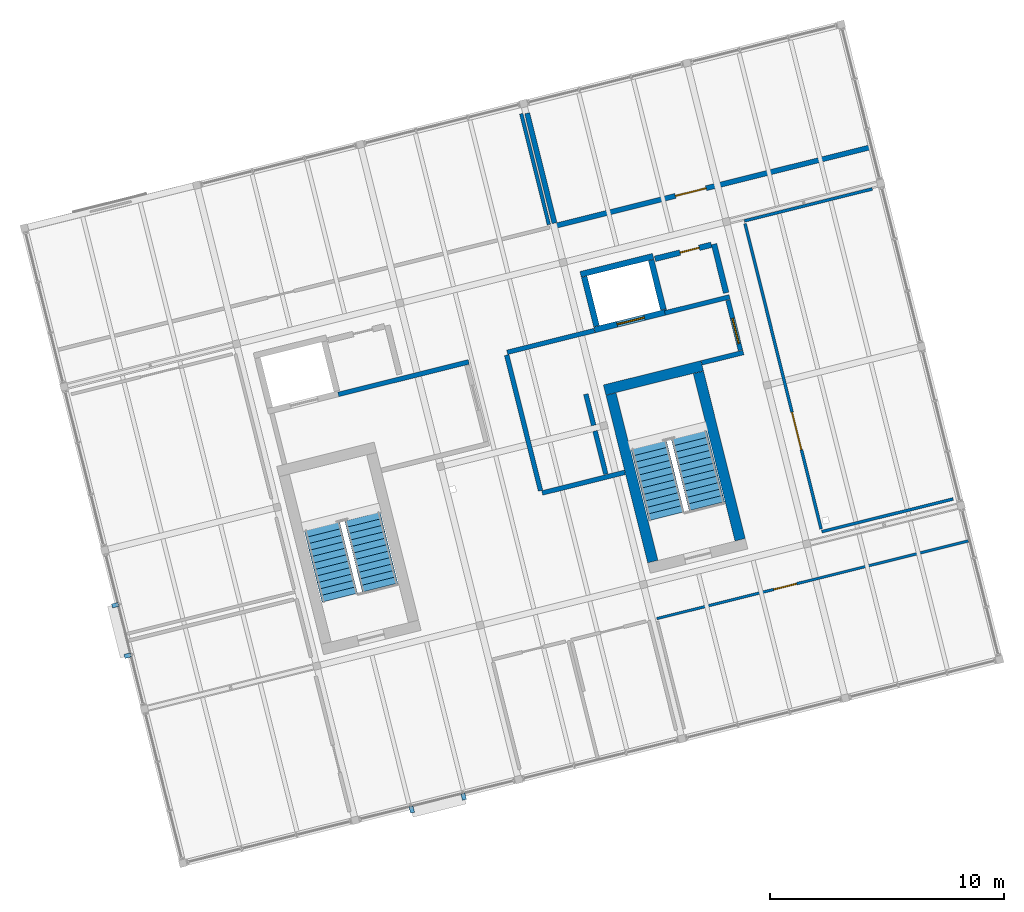
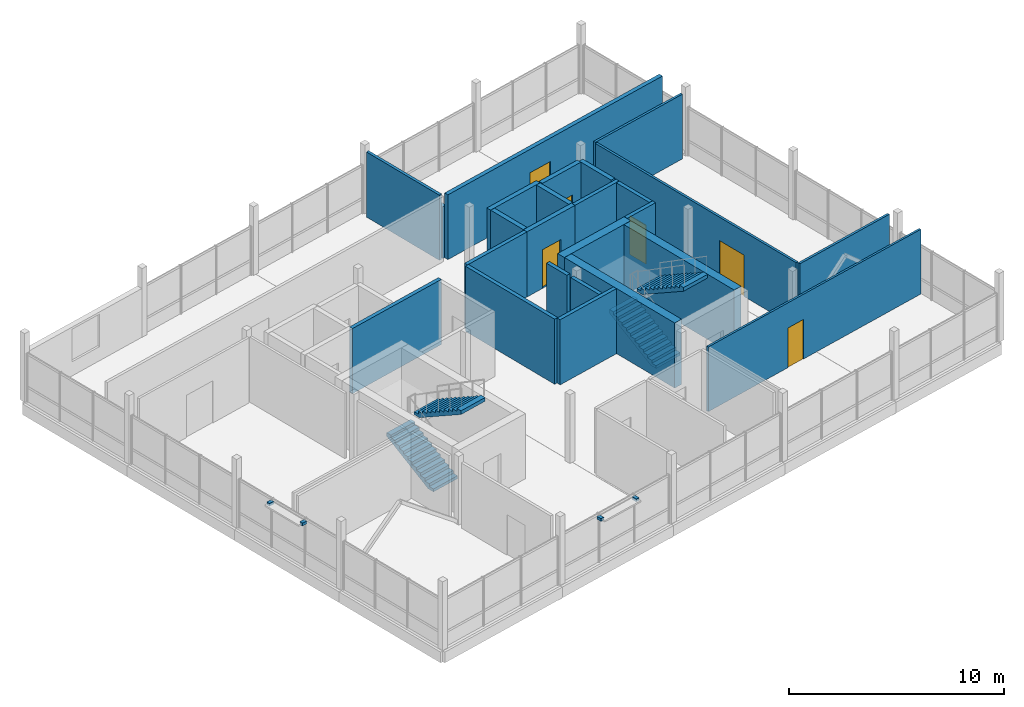
# One storey, part 24 of 25: 25 walls, 6 doors, 4 discrete accessories, 4 stair flights, 6 openings, 2 elements without a shape of their own.
"""IFC4 building model written with IfcOpenShell, lengths in metres."""

from ifc_helpers import new_model, si_unit, direction, frame, frame_2d, origin, origin_2d, place, context, subcontext, project, spatial, polyline, rectangle, outline, extrude, material, layer, layer_set, type_object, element, fill, aggregate, save


model = new_model("IFC4")

# Units and contexts
model_context = context("Model", 3, precision=1e-05, world=origin(), true_north=direction((0.0, 1.0)))
body_context = subcontext(model_context, "Body", "Model", "MODEL_VIEW")
ifc_project = project(units=[si_unit("LENGTHUNIT", "METRE"), si_unit("AREAUNIT", "SQUARE_METRE"), si_unit("VOLUMEUNIT", "CUBIC_METRE"), si_unit("PLANEANGLEUNIT", "RADIAN"), si_unit("MASSUNIT", "GRAM", prefix="KILO")], contexts=[model_context])

# Site, building, storey
site_placement = place(None, origin())
site = spatial("IfcSite", under=ifc_project, at=site_placement, CompositionType="ELEMENT")
building_placement = place(site_placement, origin())
building = spatial("IfcBuilding", under=site, at=building_placement, Name="Meriwether Solvik Hall", CompositionType="ELEMENT")
storey_placement = place(building_placement, frame((0.0, 0.0, 53.39990234375)))
storey = spatial("IfcBuildingStorey", under=building, at=storey_placement, Name="L13", CompositionType="ELEMENT", Elevation=53.39990234375)

# Wall, opening, door
ifc_material_1 = material(Name="Acoustic Mineral-Wool Double Gypsum Board", Category="gypsum")
ifc_layer_1 = layer(ifc_material_1, 0.219970703125)
ifc_layer_set_1 = layer_set([ifc_layer_1], Name="Acoustic Mineral-Wool Double Gypsum Board")
wall_type_1 = type_object("IfcWallType", Name="WALL-ACST-220", PredefinedType="PARTITIONING", material=ifc_layer_set_1)
wall_1_placement = place(storey_placement, frame((84.527587890625, 68.463134765625, 0.0), z_axis=(0.0, 0.0, 1.0), x_axis=(0.970298423506, 0.241911077346, 0.0)))
wall_1 = element("IfcWall", 1, at=wall_1_placement, inside=storey, type_object=wall_type_1, Name="L13 Interior Partition fel_13n2_s", PredefinedType="PARTITIONING", context=body_context, shape_type="SweptSolid", body=[
    extrude(rectangle(XDim=13.889892578125, YDim=0.219970703125, at=frame_2d((6.94482421875, 0.0))), origin(), (0.0, 0.0, 1.0), 3.68017578125),
])
opening_1_placement = place(wall_1_placement, frame((5.298583984375, 0.0, 0.0)))
opening_1 = element("IfcOpeningElement", 2, at=opening_1_placement, cuts=wall_1, Name="Opening D-190", PredefinedType="OPENING", context=body_context, shape_type="SweptSolid", body=[
    extrude(rectangle(XDim=1.35009765625, YDim=2.35009765625, at=frame_2d((0.675048828125, 1.175048828125))), frame((0.0, 0.1220703125, 0.0), z_axis=(0.0, -1.0, 0.0), x_axis=(1.0, 0.0, 0.0)), (0.0, 0.0, 1.0), 0.243896484375),
])
ifc_material_2 = material(Name="Laminated Vision Glass and Solid White Oak Timber", Category="wood")
door_type_1 = type_object("IfcDoorType", Name="DR-LAB-1350L", OperationType="SINGLE_SWING_LEFT", PredefinedType="DOOR", material=ifc_material_2)
door_1_placement = place(opening_1_placement, origin())
door_1 = element("IfcDoor", 3, at=door_1_placement, inside=storey, type_object=door_type_1, Name="L13 Oral History Recording Lab Door", OperationType="SINGLE_SWING_LEFT", OverallHeight=2.35009765625, OverallWidth=1.35009765625, PredefinedType="DOOR", context=body_context, shape_type="SweptSolid", body=[
    extrude(rectangle(XDim=1.35009765625, YDim=2.35009765625, at=frame_2d((0.675048828125, 1.175048828125))), frame((0.0, 0.02490234375, 0.0), z_axis=(0.0, -1.0, 0.0), x_axis=(1.0, 0.0, 0.0)), (0.0, 0.0, 1.0), 0.050048828125),
])
fill(opening_1, door_1)

# Walls
wall_2_placement = place(storey_placement, frame((83.32666015625, 73.27978515625, 0.0), z_axis=(0.0, 0.0, 1.0), x_axis=(0.24191891997, -0.970296468179, 0.0)))
element("IfcWall", 4, at=wall_2_placement, inside=storey, type_object=wall_type_1, Name="L13 Interior Partition fel_13n2_w", PredefinedType="PARTITIONING", context=body_context, shape_type="SweptSolid", body=[
    extrude(rectangle(XDim=4.843994140625, YDim=0.219970703125, at=frame_2d((2.421875, 0.0))), origin(), (0.0, 0.0, 1.0), 2.940185546875),
])
ifc_material_3 = material(Name="Fire-Rated Type X Gypsum Board", Category="gypsum")
ifc_layer_2 = layer(ifc_material_3, 0.199951171875)
ifc_layer_set_2 = layer_set([ifc_layer_2], Name="Fire-Rated Type X Gypsum Board")
wall_type_2 = type_object("IfcWallType", Name="WALL-FIRE-200", PredefinedType="STANDARD", material=ifc_layer_set_2)
wall_3_placement = place(storey_placement, frame((75.24609375, 61.25341796875, 0.0), z_axis=(0.0, 0.0, 1.0), x_axis=(0.970292173201, 0.24193614576, 0.0)))
element("IfcWall", 5, at=wall_3_placement, inside=storey, type_object=wall_type_2, Name="L13 Interior Partition lb1_n_cap", PredefinedType="STANDARD", context=body_context, shape_type="SweptSolid", body=[
    extrude(rectangle(XDim=5.75, YDim=0.199951171875, at=frame_2d((2.875, 0.0))), origin(), (0.0, 0.0, 1.0), 3.7001953125),
])
wall_4_placement = place(storey_placement, frame((82.452880859375, 62.93701171875, 0.0), z_axis=(0.0, 0.0, 1.0), x_axis=(0.241891967324, -0.970303187743, 0.0)))
element("IfcWall", 6, at=wall_4_placement, inside=storey, type_object=wall_type_2, Name="L13 Interior Partition lb2_w", PredefinedType="STANDARD", context=body_context, shape_type="SweptSolid", body=[
    extrude(rectangle(XDim=5.97998046875, YDim=0.199951171875, at=frame_2d((2.989990234375, 0.0))), origin(), (0.0, 0.0, 1.0), 3.7001953125),
])
wall_5_placement = place(storey_placement, frame((83.972412109375, 57.03955078125, 0.0), z_axis=(0.0, 0.0, 1.0), x_axis=(0.97030000841, 0.241904720251, 0.0)))
element("IfcWall", 7, at=wall_5_placement, inside=storey, type_object=wall_type_2, Name="L13 Interior Partition lb2_s_w", PredefinedType="STANDARD", context=body_context, shape_type="SweptSolid", body=[
    extrude(rectangle(XDim=3.642333984375, YDim=0.199951171875, at=frame_2d((1.8212890625, 0.0))), origin(), (0.0, 0.0, 1.0), 3.7001953125),
])
wall_6_placement = place(storey_placement, frame((86.691650390625, 57.841064453125, 0.0), z_axis=(0.0, 0.0, 1.0), x_axis=(-0.241992731984, 0.970278062035, 0.0)))
element("IfcWall", 8, at=wall_6_placement, inside=storey, type_object=wall_type_2, Name="L13 Interior Partition lb2_e_low", PredefinedType="STANDARD", context=body_context, shape_type="SweptSolid", body=[
    extrude(rectangle(XDim=1.90478515625, YDim=0.199951171875, at=frame_2d((0.952392578125, 0.0))), origin(), (0.0, 0.0, 1.0), 3.7001953125),
])
wall_7_placement = place(storey_placement, frame((86.169921875, 59.932861328125, 0.0), z_axis=(0.0, 0.0, 1.0), x_axis=(-0.241824833036, 0.970319921535, 0.0)))
element("IfcWall", 9, at=wall_7_placement, inside=storey, type_object=wall_type_2, Name="L13 Interior Partition lb2_e_low_s2", PredefinedType="STANDARD", context=body_context, shape_type="SweptSolid", body=[
    extrude(rectangle(XDim=1.3740234375, YDim=0.199951171875, at=frame_2d((0.68701171875, 0.0))), origin(), (0.0, 0.0, 1.0), 3.7001953125),
])
wall_8_placement = place(storey_placement, frame((82.47265625, 63.05517578125, 0.0), z_axis=(0.0, 0.0, 1.0), x_axis=(0.970284368558, 0.241967444366, 0.0)))
element("IfcWall", 10, at=wall_8_placement, inside=storey, type_object=wall_type_2, Name="L13 Interior Partition lb2_n_cap_w", PredefinedType="STANDARD", context=body_context, shape_type="SweptSolid", body=[
    extrude(rectangle(XDim=3.84228515625, YDim=0.199951171875, at=frame_2d((1.921142578125, 0.0))), origin(), (0.0, 0.0, 1.0), 3.7001953125),
])
wall_9_placement = place(storey_placement, frame((90.791015625, 62.604248046875, 0.0), z_axis=(0.0, 0.0, 1.0), x_axis=(0.970306180373, 0.241879962645, 0.0)))
element("IfcWall", 11, at=wall_9_placement, inside=storey, type_object=wall_type_2, Name="L13 Interior Partition lb2_s", PredefinedType="STANDARD", context=body_context, shape_type="SweptSolid", body=[
    extrude(rectangle(XDim=1.840087890625, YDim=0.199951171875, at=frame_2d((0.919921875, 0.0))), origin(), (0.0, 0.0, 1.0), 3.7001953125),
])
wall_10_placement = place(storey_placement, frame((89.21826171875, 64.737060546875, 0.0), z_axis=(0.0, 0.0, 1.0), x_axis=(0.97027839681, 0.241991389687, 0.0)))
element("IfcWall", 12, at=wall_10_placement, inside=storey, type_object=wall_type_2, Name="L13 Interior Partition lb2_n_cap", PredefinedType="STANDARD", context=body_context, shape_type="SweptSolid", body=[
    extrude(rectangle(XDim=2.85009765625, YDim=0.199951171875, at=frame_2d((1.425048828125, 0.0))), origin(), (0.0, 0.0, 1.0), 3.7001953125),
])

# Wall, opening, door
wall_11_placement = place(storey_placement, frame((91.91552734375, 65.2861328125, 0.0), z_axis=(0.0, 0.0, 1.0), x_axis=(0.241911789465, -0.970298245963, 0.0)))
wall_11 = element("IfcWall", 13, at=wall_11_placement, inside=storey, type_object=wall_type_2, Name="L13 Interior Partition lb2_e", PredefinedType="STANDARD", context=body_context, shape_type="SweptSolid", body=[
    extrude(rectangle(XDim=2.210205078125, YDim=0.199951171875, at=frame_2d((1.10498046875, 0.0))), origin(), (0.0, 0.0, 1.0), 3.7001953125),
])
opening_2_placement = place(wall_11_placement, frame((0.81005859375, 0.0, 0.0)))
opening_2 = element("IfcOpeningElement", 14, at=opening_2_placement, cuts=wall_11, Name="Opening D-168", PredefinedType="OPENING", context=body_context, shape_type="SweptSolid", body=[
    extrude(rectangle(XDim=1.10009765625, YDim=2.199951171875, at=frame_2d((0.550048828125, 1.10009765625))), frame((0.0, 0.11181640625, 0.0), z_axis=(0.0, -1.0, 0.0), x_axis=(1.0, 0.0, 0.0)), (0.0, 0.0, 1.0), 0.223876953125),
])
ifc_material_4 = material(Name="Steel A36 Galvanised", Category="steel")
door_type_2 = type_object("IfcDoorType", Name="DR-FD60-1100L", OperationType="SINGLE_SWING_LEFT", PredefinedType="DOOR", material=ifc_material_4)
door_2_placement = place(opening_2_placement, origin())
door_2 = element("IfcDoor", 15, at=door_2_placement, inside=storey, type_object=door_type_2, Name="East FSAE Lift Lobby Door (L13)", OperationType="SINGLE_SWING_LEFT", OverallHeight=2.199951171875, OverallWidth=1.10009765625, PredefinedType="DOOR", context=body_context, shape_type="SweptSolid", body=[
    extrude(rectangle(XDim=1.10009765625, YDim=2.199951171875, at=frame_2d((0.550048828125, 1.10009765625))), frame((0.0, 0.02490234375, 0.0), z_axis=(0.0, -1.0, 0.0), x_axis=(1.0, 0.0, 0.0)), (0.0, 0.0, 1.0), 0.050048828125),
])
fill(opening_2, door_2)

ifc_material_5 = material(Name="Tempered Laminated Glass in Anodised Aluminium Frame", Category="aluminium")
ifc_layer_3 = layer(ifc_material_5, 0.112060546875)
ifc_layer_set_3 = layer_set([ifc_layer_3], Name="Tempered Laminated Glass in Anodised Aluminium Frame")
wall_type_3 = type_object("IfcWallType", Name="WALL-GLZ-112", PredefinedType="PARTITIONING", material=ifc_layer_set_3)
wall_12_placement = place(storey_placement, frame((102.202392578125, 54.98876953125, 0.0), z_axis=(0.0, 0.0, 1.0), x_axis=(-0.970296992455, -0.241916817175, 0.0)))
wall_12 = element("IfcWall", 16, at=wall_12_placement, inside=storey, type_object=wall_type_3, Name="L13 Interior Partition fel_13s_n", PredefinedType="PARTITIONING", context=body_context, shape_type="SweptSolid", body=[
    extrude(rectangle(XDim=13.740234375, YDim=0.112060546875, at=frame_2d((6.8701171875, 0.0))), origin(), (0.0, 0.0, 1.0), 3.68017578125),
])
opening_3_placement = place(wall_12_placement, frame((7.577880859375, 0.0, 0.0)))
opening_3 = element("IfcOpeningElement", 17, at=opening_3_placement, cuts=wall_12, Name="Opening D-166", PredefinedType="OPENING", context=body_context, shape_type="SweptSolid", body=[
    extrude(rectangle(XDim=1.0, YDim=2.25, at=frame_2d((0.5, 1.125))), frame((0.0, 0.06787109375, 0.0), z_axis=(0.0, -1.0, 0.0), x_axis=(1.0, 0.0, 0.0)), (0.0, 0.0, 1.0), 0.135986328125),
])
ifc_material_6 = material(Name="Laminated Vision Glass and Solid White Oak Timber", Category="wood")
door_type_3 = type_object("IfcDoorType", Name="DR-OFF-1000L", OperationType="SINGLE_SWING_LEFT", PredefinedType="DOOR", material=ifc_material_6)
door_3_placement = place(opening_3_placement, origin())
door_3 = element("IfcDoor", 18, at=door_3_placement, inside=storey, type_object=door_type_3, Name="L13 Senior Fellows Office Door", OperationType="SINGLE_SWING_LEFT", OverallHeight=2.25, OverallWidth=1.0, PredefinedType="DOOR", context=body_context, shape_type="SweptSolid", body=[
    extrude(rectangle(XDim=1.0, YDim=2.25, at=frame_2d((0.5, 1.125))), frame((0.0, 0.02490234375, 0.0), z_axis=(0.0, -1.0, 0.0), x_axis=(1.0, 0.0, 0.0)), (0.0, 0.0, 1.0), 0.050048828125),
])
fill(opening_3, door_3)

# Walls
ifc_material_7 = material(Name="Concrete C40/50", Category="concrete")
ifc_layer_4 = layer(ifc_material_7, 0.25)
ifc_layer_set_4 = layer_set([ifc_layer_4], Name="Concrete C40/50")
wall_type_4 = type_object("IfcWallType", Name="WALL-HOIST-250", PredefinedType="SHEAR", material=ifc_layer_set_4)
wall_13_placement = place(storey_placement, frame((88.716552734375, 67.162841796875, 0.0), z_axis=(0.0, 0.0, 1.0), x_axis=(-0.970294894235, -0.241925232711, 0.0)))
element("IfcWall", 19, at=wall_13_placement, inside=storey, type_object=wall_type_4, Name="Hoistway BANK2 North Wall (L13)", PredefinedType="SHEAR", context=body_context, shape_type="SweptSolid", body=[
    extrude(rectangle(XDim=3.199951171875, YDim=0.25, at=frame_2d((1.60009765625, 0.0))), origin(), (0.0, 0.0, 1.0), 3.7001953125),
])
for number, where, z_axis, x_axis, name in (
    (20, (85.765625, 66.287841796875, 0.0), (0.0, 0.0, 1.0), (0.241903146974, -0.970300400641, 0.0), "Hoistway BANK2 West Wall (L13)"),
    (21, (89.1552734375, 64.886474609375, 0.0), (0.0, 0.0, 1.0), (-0.241903146974, 0.970300400641, 0.0), "Hoistway BANK2 East Wall (L13)"),
):
    element("IfcWall", number, at=place(storey_placement, frame(where, z_axis=z_axis, x_axis=x_axis)), inside=storey, type_object=wall_type_4, Name=name, PredefinedType="SHEAR", context=body_context, shape_type="SweptSolid", body=[
        extrude(rectangle(XDim=2.179931640625, YDim=0.25, at=frame_2d((1.08984375, 0.0))), origin(), (0.0, 0.0, 1.0), 3.7001953125),
    ])

# Wall, opening, door
wall_14_placement = place(storey_placement, frame((86.204345703125, 64.011474609375, 0.0), z_axis=(0.0, 0.0, 1.0), x_axis=(0.970294894235, 0.241925232711, 0.0)))
wall_14 = element("IfcWall", 22, at=wall_14_placement, inside=storey, type_object=wall_type_4, Name="Lift LF-02 Landing Wall (L13)", PredefinedType="SHEAR", context=body_context, shape_type="SweptSolid", body=[
    extrude(rectangle(XDim=3.199951171875, YDim=0.25, at=frame_2d((1.60009765625, 0.0))), origin(), (0.0, 0.0, 1.0), 3.7001953125),
])
opening_4_placement = place(wall_14_placement, frame((1.0, 0.0, 0.0)))
opening_4 = element("IfcOpeningElement", 23, at=opening_4_placement, cuts=wall_14, Name="Opening LD-02", PredefinedType="OPENING", context=body_context, shape_type="SweptSolid", body=[
    extrude(rectangle(XDim=1.199951171875, YDim=2.199951171875, at=frame_2d((0.60009765625, 1.10009765625))), frame((0.0, 0.136962890625, 0.0), z_axis=(0.0, -1.0, 0.0), x_axis=(1.0, 0.0, 0.0)), (0.0, 0.0, 1.0), 0.27392578125),
])
ifc_material_8 = material(Name="Stainless Steel AISI 316", Category="steel")
door_type_4 = type_object("IfcDoorType", Name="DR-LIFT-FSAE", OperationType="DOUBLE_DOOR_SLIDING", PredefinedType="DOOR", material=ifc_material_8)
door_4_placement = place(opening_4_placement, origin())
door_4 = element("IfcDoor", 24, at=door_4_placement, inside=storey, type_object=door_type_4, Name="Lift Landing Door LF-02 (L13)", OperationType="DOUBLE_DOOR_SLIDING", OverallHeight=2.199951171875, OverallWidth=1.199951171875, PredefinedType="DOOR", context=body_context, shape_type="SweptSolid", body=[
    extrude(rectangle(XDim=1.199951171875, YDim=2.199951171875, at=frame_2d((0.60009765625, 1.10009765625))), frame((0.0, 0.02490234375, 0.0), z_axis=(0.0, -1.0, 0.0), x_axis=(1.0, 0.0, 0.0)), (0.0, 0.0, 1.0), 0.050048828125),
])
fill(opening_4, door_4)

# Walls
ifc_material_9 = material(Name="Gypsum Board Partition", Category="gypsum")
ifc_layer_5 = layer(ifc_material_9, 0.125)
ifc_layer_set_5 = layer_set([ifc_layer_5], Name="Gypsum Board Partition")
wall_type_5 = type_object("IfcWallType", Name="WALL-PART-125", PredefinedType="PARTITIONING", material=ifc_layer_set_5)
wall_15_placement = place(storey_placement, frame((95.9306640625, 55.38330078125, 0.0), z_axis=(0.0, 0.0, 1.0), x_axis=(0.97029864505, 0.241910188735, 0.0)))
element("IfcWall", 25, at=wall_15_placement, inside=storey, type_object=wall_type_5, Name="L13 Interior Partition fel_13e_s", PredefinedType="PARTITIONING", context=body_context, shape_type="SweptSolid", body=[
    extrude(rectangle(XDim=5.786865234375, YDim=0.125, at=frame_2d((2.8935546875, 0.0))), origin(), (0.0, 0.0, 1.0), 3.68017578125),
])
wall_16_placement = place(storey_placement, frame((98.08544921875, 70.039794921875, 0.0), z_axis=(0.0, 0.0, 1.0), x_axis=(-0.970300259832, -0.241903711774, 0.0)))
element("IfcWall", 26, at=wall_16_placement, inside=storey, type_object=wall_type_5, Name="L13 Interior Partition fel_13e_n", PredefinedType="PARTITIONING", context=body_context, shape_type="SweptSolid", body=[
    extrude(rectangle(XDim=5.63671875, YDim=0.125, at=frame_2d((2.818359375, 0.0))), origin(), (0.0, 0.0, 1.0), 3.68017578125),
])

# Wall, opening, door
wall_17_placement = place(storey_placement, frame((92.645263671875, 68.559814453125, 0.0), z_axis=(0.0, 0.0, 1.0), x_axis=(0.241925285076, -0.970294881178, 0.0)))
wall_17 = element("IfcWall", 27, at=wall_17_placement, inside=storey, type_object=wall_type_5, Name="L13 Interior Partition fel_13e_w", PredefinedType="PARTITIONING", context=body_context, shape_type="SweptSolid", body=[
    extrude(rectangle(XDim=13.460205078125, YDim=0.125, at=frame_2d((6.72998046875, 0.0))), origin(), (0.0, 0.0, 1.0), 3.68017578125),
])
opening_5_placement = place(wall_17_placement, frame((8.31396484375, 0.0, 0.0)))
opening_5 = element("IfcOpeningElement", 28, at=opening_5_placement, cuts=wall_17, Name="Opening D-137", PredefinedType="OPENING", context=body_context, shape_type="SweptSolid", body=[
    extrude(rectangle(XDim=1.64990234375, YDim=2.35009765625, at=frame_2d((0.824951171875, 1.175048828125))), frame((0.0, 0.074462890625, 0.0), z_axis=(0.0, -1.0, 0.0), x_axis=(1.0, 0.0, 0.0)), (0.0, 0.0, 1.0), 0.14892578125),
])
ifc_material_10 = material(Name="Laminated Vision Glass and Solid White Oak Timber", Category="wood")
door_type_5 = type_object("IfcDoorType", Name="DR-INT-1650", OperationType="DOUBLE_DOOR_SINGLE_SWING", PredefinedType="DOOR", material=ifc_material_10)
door_5_placement = place(opening_5_placement, origin())
door_5 = element("IfcDoor", 29, at=door_5_placement, inside=storey, type_object=door_type_5, Name="L13 East Editorial Workplace Door", OperationType="DOUBLE_DOOR_SINGLE_SWING", OverallHeight=2.35009765625, OverallWidth=1.64990234375, PredefinedType="DOOR", context=body_context, shape_type="SweptSolid", body=[
    extrude(rectangle(XDim=1.64990234375, YDim=2.35009765625, at=frame_2d((0.824951171875, 1.175048828125))), frame((0.0, 0.02490234375, 0.0), z_axis=(0.0, -1.0, 0.0), x_axis=(1.0, 0.0, 0.0)), (0.0, 0.0, 1.0), 0.050048828125),
])
fill(opening_5, door_5)

# Walls
ifc_material_11 = material(Name="Gypsum Board Partition", Category="gypsum")
ifc_layer_6 = layer(ifc_material_11, 0.14990234375)
ifc_layer_set_6 = layer_set([ifc_layer_6], Name="Gypsum Board Partition")
wall_type_6 = type_object("IfcWallType", Name="WALL-PART-150", PredefinedType="PARTITIONING", material=ifc_layer_set_6)
wall_18_placement = place(storey_placement, frame((84.255859375, 68.51904296875, 0.0), z_axis=(0.0, 0.0, 1.0), x_axis=(-0.241877622649, 0.97030676369, 0.0)))
element("IfcWall", 30, at=wall_18_placement, inside=storey, type_object=wall_type_6, Name="L13 Interior Partition fel_13n1_e", PredefinedType="PARTITIONING", context=body_context, shape_type="SweptSolid", body=[
    extrude(rectangle(XDim=4.889404296875, YDim=0.14990234375, at=frame_2d((2.44482421875, 0.0))), origin(), (0.0, 0.0, 1.0), 3.7001953125),
])
ifc_material_12 = material(Name="Concrete C45/55", Category="concrete")
ifc_layer_7 = layer(ifc_material_12, 0.449951171875)
ifc_layer_set_7 = layer_set([ifc_layer_7], Name="Concrete C45/55")
wall_type_7 = type_object("IfcWallType", Name="WALL-RC-450", PredefinedType="SHEAR", material=ifc_layer_set_7)
wall_19_placement = place(storey_placement, frame((90.8115234375, 62.48046875, 0.0), z_axis=(0.0, 0.0, 1.0), x_axis=(-0.970309259708, -0.2418676095, 0.0)))
element("IfcWall", 31, at=wall_19_placement, inside=storey, type_object=wall_type_7, Name="CORE-2 Shear Wall N (L13)", PredefinedType="SHEAR", context=body_context, shape_type="SweptSolid", body=[
    extrude(rectangle(XDim=4.300048828125, YDim=0.449951171875, at=frame_2d((2.14990234375, 0.0))), origin(), (0.0, 0.0, 1.0), 3.7001953125),
])
for number, where, z_axis, x_axis, name in (
    (32, (86.91455078125, 61.266845703125, 0.0), (0.0, 0.0, 1.0), (0.241889515465, -0.970303798976, 0.0), "CORE-2 Shear Wall W (L13)"),
    (33, (92.435546875, 55.037353515625, 0.0), (0.0, 0.0, 1.0), (-0.241920660665, 0.970296034179, 0.0), "CORE-2 Shear Wall E (L13)"),
):
    element("IfcWall", number, at=place(storey_placement, frame(where, z_axis=z_axis, x_axis=x_axis)), inside=storey, type_object=wall_type_7, Name=name, PredefinedType="SHEAR", context=body_context, shape_type="SweptSolid", body=[
        extrude(rectangle(XDim=7.380126953125, YDim=0.449951171875, at=frame_2d((3.68994140625, 0.0))), origin(), (0.0, 0.0, 1.0), 3.7001953125),
    ])
ifc_material_13 = material(Name="Concrete C35/45", Category="concrete")
ifc_layer_8 = layer(ifc_material_13, 0.239990234375)
ifc_layer_set_8 = layer_set([ifc_layer_8], Name="Concrete C35/45")
wall_type_8 = type_object("IfcWallType", Name="WALL-SHAFT-240", PredefinedType="STANDARD", material=ifc_layer_set_8)
wall_20_placement = place(storey_placement, frame((91.838134765625, 65.596435546875, 0.0), z_axis=(0.0, 0.0, 1.0), x_axis=(-0.2418676095, 0.970309259708, 0.0)))
element("IfcWall", 34, at=wall_20_placement, inside=storey, type_object=wall_type_8, Name="L13 Interior Partition riser2_e", PredefinedType="STANDARD", context=body_context, shape_type="SweptSolid", body=[
    extrude(rectangle(XDim=2.14990234375, YDim=0.239990234375, at=frame_2d((1.074951171875, 0.0))), origin(), (0.0, 0.0, 1.0), 3.7001953125),
])

# Wall, opening, door
wall_21_placement = place(storey_placement, frame((91.20166015625, 67.653564453125, 0.0), z_axis=(0.0, 0.0, 1.0), x_axis=(-0.970304433136, -0.241886971613, 0.0)))
wall_21 = element("IfcWall", 35, at=wall_21_placement, inside=storey, type_object=wall_type_8, Name="L13 Interior Partition riser2_n", PredefinedType="STANDARD", context=body_context, shape_type="SweptSolid", body=[
    extrude(rectangle(XDim=2.47998046875, YDim=0.239990234375, at=frame_2d((1.239990234375, 0.0))), origin(), (0.0, 0.0, 1.0), 3.7001953125),
])
opening_6_placement = place(wall_21_placement, frame((0.530029296875, 0.0, 0.0)))
opening_6 = element("IfcOpeningElement", 36, at=opening_6_placement, cuts=wall_21, Name="Opening D-186", PredefinedType="OPENING", context=body_context, shape_type="SweptSolid", body=[
    extrude(rectangle(XDim=0.85009765625, YDim=2.10009765625, at=frame_2d((0.425048828125, 1.050048828125))), frame((0.0, 0.1318359375, 0.0), z_axis=(0.0, -1.0, 0.0), x_axis=(1.0, 0.0, 0.0)), (0.0, 0.0, 1.0), 0.263916015625),
])
ifc_material_14 = material(Name="Steel A36 Galvanised", Category="steel")
door_type_6 = type_object("IfcDoorType", Name="DR-FD60-850R", OperationType="SINGLE_SWING_RIGHT", PredefinedType="DOOR", material=ifc_material_14)
door_6_placement = place(opening_6_placement, origin())
door_6 = element("IfcDoor", 37, at=door_6_placement, inside=storey, type_object=door_type_6, Name="Electrical Riser Closet Door (L13)", OperationType="SINGLE_SWING_RIGHT", OverallHeight=2.10009765625, OverallWidth=0.85009765625, PredefinedType="DOOR", context=body_context, shape_type="SweptSolid", body=[
    extrude(rectangle(XDim=0.85009765625, YDim=2.10009765625, at=frame_2d((0.425048828125, 1.050048828125))), frame((0.0, 0.02490234375, 0.0), z_axis=(0.0, -1.0, 0.0), x_axis=(1.0, 0.0, 0.0)), (0.0, 0.0, 1.0), 0.050048828125),
])
fill(opening_6, door_6)

# Stair, stair flights
ifc_material_15 = material(Name="Concrete C40/50", Category="concrete")
stair_type = type_object("IfcStairType", Name="STR-CORE-DOGLEG-A", PredefinedType="TWO_STRAIGHT_RUN_STAIR", material=ifc_material_15)
stair_1_placement = place(storey_placement, origin())
stair_1 = element("IfcStair", 38, at=stair_1_placement, inside=storey, type_object=stair_type, Name="Exit Stair ST-01 (L13)", PredefinedType="TWO_STRAIGHT_RUN_STAIR")
ifc_material_16 = material(Name="Concrete C40/50", Category="concrete")
stair_flight_type = type_object("IfcStairFlightType", Name="SFL-RC-156", PredefinedType="STRAIGHT", material=ifc_material_16)
stair_flight_1_placement = place(storey_placement, frame((75.310791015625, 52.56103515625, 0.0), z_axis=(0.0, 0.0, 1.0), x_axis=(-0.2419218956, 0.970295726276, 0.0)))
stair_flight_1 = element("IfcStairFlight", 39, at=stair_flight_1_placement, type_object=stair_flight_type, Name="Stair ST-01 Lower Flight (L13)", NumberOfRisers=12, NumberOfTreads=11, PredefinedType="STRAIGHT", RiserHeight=0.1625, TreadLength=0.285, context=body_context, shape_type="SweptSolid", body=[
    extrude(outline(polyline([(0.0, 0.0), (0.0, 0.16259765625), (0.284912109375, 0.16259765625), (0.284912109375, 0.324951171875), (0.570068359375, 0.324951171875), (0.570068359375, 0.487548828125), (0.85498046875, 0.487548828125), (0.85498046875, 0.64990234375), (1.139892578125, 0.64990234375), (1.139892578125, 0.8125), (1.425048828125, 0.8125), (1.425048828125, 0.97509765625), (1.7099609375, 0.97509765625), (1.7099609375, 1.137451171875), (1.9951171875, 1.137451171875), (1.9951171875, 1.300048828125), (2.280029296875, 1.300048828125), (2.280029296875, 1.46240234375), (2.56494140625, 1.46240234375), (2.56494140625, 1.625), (2.85009765625, 1.625), (2.85009765625, 1.78759765625), (3.135009765625, 1.78759765625), (3.135009765625, 1.949951171875), (3.135009765625, 1.580322265625), (0.36328125, 0.0), (0.0, 0.0)])), frame((0.0, 0.780029296875, 0.0), z_axis=(0.0, -1.0, 0.0), x_axis=(1.0, 0.0, 0.0)), (0.0, 0.0, 1.0), 1.56005859375),
])
stair_flight_2_placement = place(storey_placement, frame((76.279541015625, 56.033447265625, 1.9501953125), z_axis=(0.0, 0.0, 1.0), x_axis=(0.2419218956, -0.970295726276, 0.0)))
stair_flight_2 = element("IfcStairFlight", 40, at=stair_flight_2_placement, type_object=stair_flight_type, Name="Stair ST-01 Upper Flight (L13)", NumberOfRisers=12, NumberOfTreads=11, PredefinedType="STRAIGHT", RiserHeight=0.1625, TreadLength=0.285, context=body_context, shape_type="SweptSolid", body=[
    extrude(outline(polyline([(0.0, 0.0), (0.0, 0.16259765625), (0.284912109375, 0.16259765625), (0.284912109375, 0.324951171875), (0.570068359375, 0.324951171875), (0.570068359375, 0.487548828125), (0.85498046875, 0.487548828125), (0.85498046875, 0.64990234375), (1.139892578125, 0.64990234375), (1.139892578125, 0.8125), (1.425048828125, 0.8125), (1.425048828125, 0.97509765625), (1.7099609375, 0.97509765625), (1.7099609375, 1.137451171875), (1.9951171875, 1.137451171875), (1.9951171875, 1.300048828125), (2.280029296875, 1.300048828125), (2.280029296875, 1.46240234375), (2.56494140625, 1.46240234375), (2.56494140625, 1.625), (2.85009765625, 1.625), (2.85009765625, 1.78759765625), (3.135009765625, 1.78759765625), (3.135009765625, 1.949951171875), (3.135009765625, 1.580322265625), (0.36328125, 0.0), (0.0, 0.0)])), frame((0.0, 0.780029296875, 0.0), z_axis=(0.0, -1.0, 0.0), x_axis=(1.0, 0.0, 0.0)), (0.0, 0.0, 1.0), 1.56005859375),
])
aggregate(stair_1, [stair_flight_1, stair_flight_2])

stair_2_placement = place(storey_placement, origin())
stair_2 = element("IfcStair", 41, at=stair_2_placement, inside=storey, type_object=stair_type, Name="Exit Stair ST-02 (L13)", PredefinedType="TWO_STRAIGHT_RUN_STAIR")
stair_flight_3_placement = place(storey_placement, frame((89.283203125, 56.044677734375, 0.0), z_axis=(0.0, 0.0, 1.0), x_axis=(-0.2419218956, 0.970295726276, 0.0)))
stair_flight_3 = element("IfcStairFlight", 42, at=stair_flight_3_placement, type_object=stair_flight_type, Name="Stair ST-02 Lower Flight (L13)", NumberOfRisers=12, NumberOfTreads=11, PredefinedType="STRAIGHT", RiserHeight=0.1625, TreadLength=0.285, context=body_context, shape_type="SweptSolid", body=[
    extrude(outline(polyline([(0.0, 0.0), (0.0, 0.16259765625), (0.284912109375, 0.16259765625), (0.284912109375, 0.324951171875), (0.570068359375, 0.324951171875), (0.570068359375, 0.487548828125), (0.85498046875, 0.487548828125), (0.85498046875, 0.64990234375), (1.139892578125, 0.64990234375), (1.139892578125, 0.8125), (1.425048828125, 0.8125), (1.425048828125, 0.97509765625), (1.7099609375, 0.97509765625), (1.7099609375, 1.137451171875), (1.9951171875, 1.137451171875), (1.9951171875, 1.300048828125), (2.280029296875, 1.300048828125), (2.280029296875, 1.46240234375), (2.56494140625, 1.46240234375), (2.56494140625, 1.625), (2.85009765625, 1.625), (2.85009765625, 1.78759765625), (3.135009765625, 1.78759765625), (3.135009765625, 1.949951171875), (3.135009765625, 1.580322265625), (0.36328125, 0.0), (0.0, 0.0)])), frame((0.0, 0.780029296875, 0.0), z_axis=(0.0, -1.0, 0.0), x_axis=(1.0, 0.0, 0.0)), (0.0, 0.0, 1.0), 1.56005859375),
])
stair_flight_4_placement = place(storey_placement, frame((90.251953125, 59.51708984375, 1.9501953125), z_axis=(0.0, 0.0, 1.0), x_axis=(0.2419218956, -0.970295726276, 0.0)))
stair_flight_4 = element("IfcStairFlight", 43, at=stair_flight_4_placement, type_object=stair_flight_type, Name="Stair ST-02 Upper Flight (L13)", NumberOfRisers=12, NumberOfTreads=11, PredefinedType="STRAIGHT", RiserHeight=0.1625, TreadLength=0.285, context=body_context, shape_type="SweptSolid", body=[
    extrude(outline(polyline([(0.0, 0.0), (0.0, 0.16259765625), (0.284912109375, 0.16259765625), (0.284912109375, 0.324951171875), (0.570068359375, 0.324951171875), (0.570068359375, 0.487548828125), (0.85498046875, 0.487548828125), (0.85498046875, 0.64990234375), (1.139892578125, 0.64990234375), (1.139892578125, 0.8125), (1.425048828125, 0.8125), (1.425048828125, 0.97509765625), (1.7099609375, 0.97509765625), (1.7099609375, 1.137451171875), (1.9951171875, 1.137451171875), (1.9951171875, 1.300048828125), (2.280029296875, 1.300048828125), (2.280029296875, 1.46240234375), (2.56494140625, 1.46240234375), (2.56494140625, 1.625), (2.85009765625, 1.625), (2.85009765625, 1.78759765625), (3.135009765625, 1.78759765625), (3.135009765625, 1.949951171875), (3.135009765625, 1.580322265625), (0.36328125, 0.0), (0.0, 0.0)])), frame((0.0, 0.780029296875, 0.0), z_axis=(0.0, -1.0, 0.0), x_axis=(1.0, 0.0, 0.0)), (0.0, 0.0, 1.0), 1.56005859375),
])
aggregate(stair_2, [stair_flight_3, stair_flight_4])

# Discrete accessories
ifc_material_17 = material(Name="Steel A36 Galvanised", Category="steel")
discrete_accessory_type = type_object("IfcDiscreteAccessoryType", Name="ACC-BRK-STL", PredefinedType="BRACKET", material=ifc_material_17)
for number, where, z_axis, x_axis, name in (
    (44, (80.61083984375, 44.05029296875, 2.47021484375), (0.0, 0.0, 1.0), (-0.970295730764, -0.241921877598, 0.0), "Sunshade Outrigger Bracket E0_B1-1"),
    (45, (78.3916015625, 43.4970703125, 2.47021484375), (0.0, 0.0, 1.0), (-0.970295730764, -0.241921877598, 0.0), "Sunshade Outrigger Bracket E0_B1-2"),
    (46, (66.240966796875, 50.0830078125, 2.47021484375), (0.0, 0.0, 1.0), (-0.241921784185, 0.970295754055, 0.0), "Sunshade Outrigger Bracket E3_B1-1"),
    (47, (65.703857421875, 52.2373046875, 2.47021484375), (0.0, 0.0, 1.0), (-0.241921784185, 0.970295754055, 0.0), "Sunshade Outrigger Bracket E3_B1-2"),
):
    element("IfcDiscreteAccessory", number, at=place(storey_placement, frame(where, z_axis=z_axis, x_axis=x_axis)), inside=storey, type_object=discrete_accessory_type, Name=name, PredefinedType="BRACKET", context=body_context, shape_type="SweptSolid", body=[
        extrude(rectangle(XDim=0.179931640625, YDim=0.280029296875, at=origin_2d()), origin(), (0.0, 0.0, 1.0), 0.159912109375),
    ])

save(model, "model.ifc")
